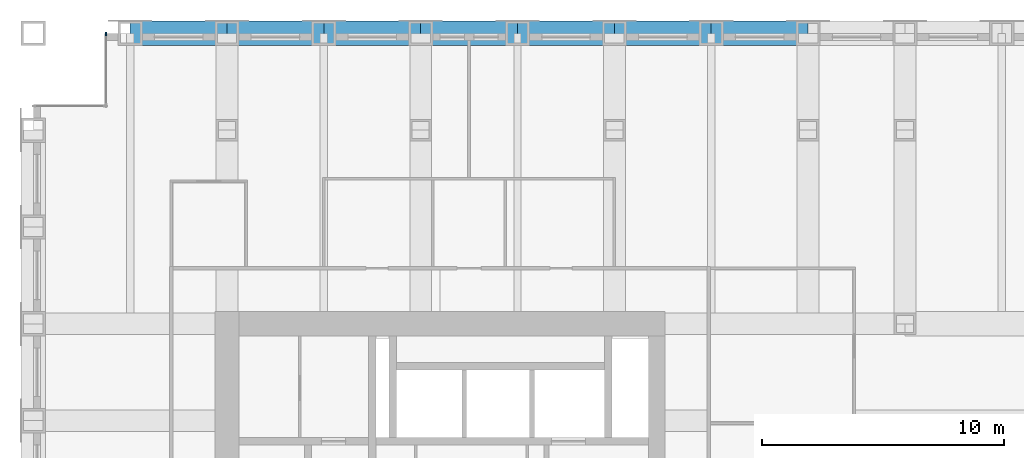
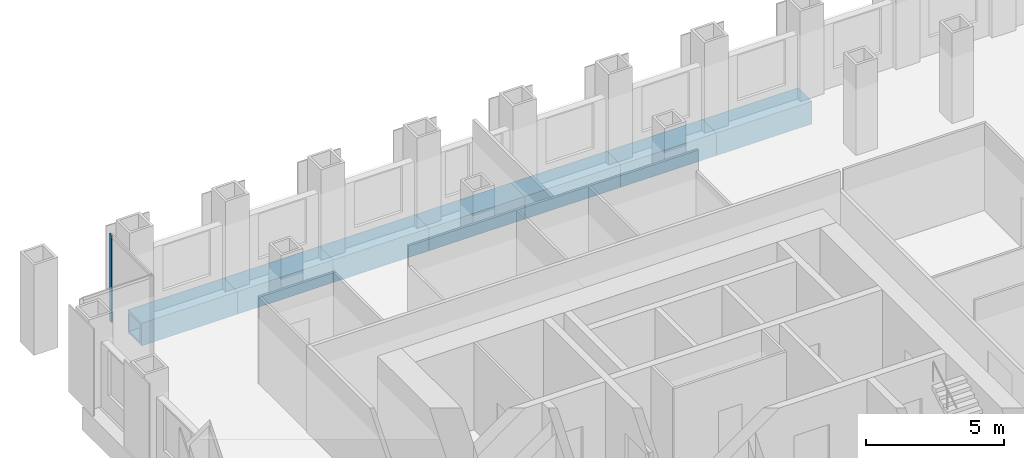
# One storey, part 8 of 16: 7 beams, 1 member, 1 element without a shape of its own.
"""IFC4 building model written with IfcOpenShell, lengths in metres."""

from ifc_helpers import new_model, si_unit, direction, frame, origin, origin_2d, place, context, subcontext, project, spatial, rectangle, hollow_rectangle, extrude, material, material_profile, profile_set, type_object, element, aggregate, save


model = new_model("IFC4")

# Units and contexts
model_context = context("Model", 3, precision=1e-05, world=origin(), true_north=direction((0.0, 1.0)))
body_context = subcontext(model_context, "Body", "Model", "MODEL_VIEW")
ifc_project = project(units=[si_unit("LENGTHUNIT", "METRE"), si_unit("AREAUNIT", "SQUARE_METRE"), si_unit("VOLUMEUNIT", "CUBIC_METRE"), si_unit("PLANEANGLEUNIT", "RADIAN"), si_unit("MASSUNIT", "GRAM", prefix="KILO")], contexts=[model_context])

# Site, building, storey
site_placement = place(None, origin())
site = spatial("IfcSite", under=ifc_project, at=site_placement, CompositionType="ELEMENT")
building_placement = place(site_placement, origin())
building = spatial("IfcBuilding", under=site, at=building_placement, Name="Rimbunsela Tower", CompositionType="ELEMENT")
storey_placement = place(building_placement, frame((0.0, 0.0, 81.39990234375)))
storey = spatial("IfcBuildingStorey", under=building, at=storey_placement, Name="L19", CompositionType="ELEMENT", Elevation=81.39990234375)

# Beams
ifc_material_1 = material(Name="Steel BJ 55 (fy 410 MPa)", Category="steel")
ifc_material_profile_1 = material_profile(ifc_material_1, hollow_rectangle(XDim=1.0, YDim=1.0, WallThickness=0.10009765625, at=origin_2d()), Name="BOX 1000x1000x100")
ifc_profile_set_1 = profile_set([ifc_material_profile_1], Name="Steel BJ 55 (fy 410 MPa)")
beam_type = type_object("IfcBeamType", Name="Beam BOX 1000x1000x100", PredefinedType="BEAM", material=ifc_profile_set_1)
for number, where, z_axis, x_axis, name in (
    (1, (14.0, 48.0, -0.64990234375), (1.0, 0.0, 0.0), (0.0, 1.0, 0.0), "Beam B3 L19"),
    (2, (18.0, 48.0, -0.64990234375), (1.0, 0.0, 0.0), (0.0, 1.0, 0.0), "Beam B3 L19"),
    (3, (22.0, 48.0, -0.64990234375), (1.0, 0.0, 0.0), (0.0, 1.0, 0.0), "Beam B3 L19"),
    (4, (26.0, 48.0, -0.64990234375), (1.0, 0.0, 0.0), (0.0, 1.0, 0.0), "Beam B3 L19"),
    (5, (30.0, 48.0, -0.64990234375), (1.0, 0.0, 0.0), (0.0, 1.0, 0.0), "Beam B3 L19"),
    (6, (34.0, 48.0, -0.64990234375), (1.0, 0.0, 0.0), (0.0, 1.0, 0.0), "Beam B3 L19"),
    (7, (38.0, 48.0, -0.64990234375), (1.0, 0.0, 0.0), (0.0, 1.0, 0.0), "Beam B3 L19"),
):
    element("IfcBeam", number, at=place(storey_placement, frame(where, z_axis=z_axis, x_axis=x_axis)), inside=storey, type_object=beam_type, Name=name, PredefinedType="BEAM", context=body_context, shape_type="SweptSolid", body=[
        extrude(hollow_rectangle(XDim=1.0, YDim=1.0, WallThickness=0.10009765625, at=origin_2d()), origin(), (0.0, 0.0, 1.0), 4.0),
    ])

# Curtain wall, member
ifc_material_2 = material(Name="Aluminium curtain wall", Category="aluminium")
curtain_wall_type = type_object("IfcCurtainWallType", Name="Corner glazing", PredefinedType="USERDEFINED", material=ifc_material_2)
curtain_wall_placement = place(storey_placement, origin())
curtain_wall = element("IfcCurtainWall", 8, at=curtain_wall_placement, inside=storey, type_object=curtain_wall_type, Name="Corner glazing L19", ObjectType="CORNER GLAZING", PredefinedType="USERDEFINED")
ifc_material_3 = material(Name="Aluminium mullion", Category="aluminium")
ifc_material_profile_2 = material_profile(ifc_material_3, rectangle(XDim=0.06005859375, YDim=0.159912109375, at=origin_2d()), Name="Mullion 60x160")
ifc_profile_set_2 = profile_set([ifc_material_profile_2], Name="Aluminium mullion")
member_type = type_object("IfcMemberType", Name="Curtain wall mullion 60x160", PredefinedType="MULLION", material=ifc_profile_set_2)
member_placement = place(storey_placement, frame((13.0, 47.969970703125, 0.0), z_axis=(0.0, 0.0, 1.0), x_axis=(1.0, 0.0, 0.0)))
member = element("IfcMember", 9, at=member_placement, type_object=member_type, Name="CW5 mullion 1", PredefinedType="MULLION", context=body_context, shape_type="SweptSolid", body=[
    extrude(rectangle(XDim=0.06005859375, YDim=0.159912109375, at=origin_2d()), origin(), (0.0, 0.0, 1.0), 3.85009765625),
])
aggregate(curtain_wall, [member])

save(model, "model.ifc")
